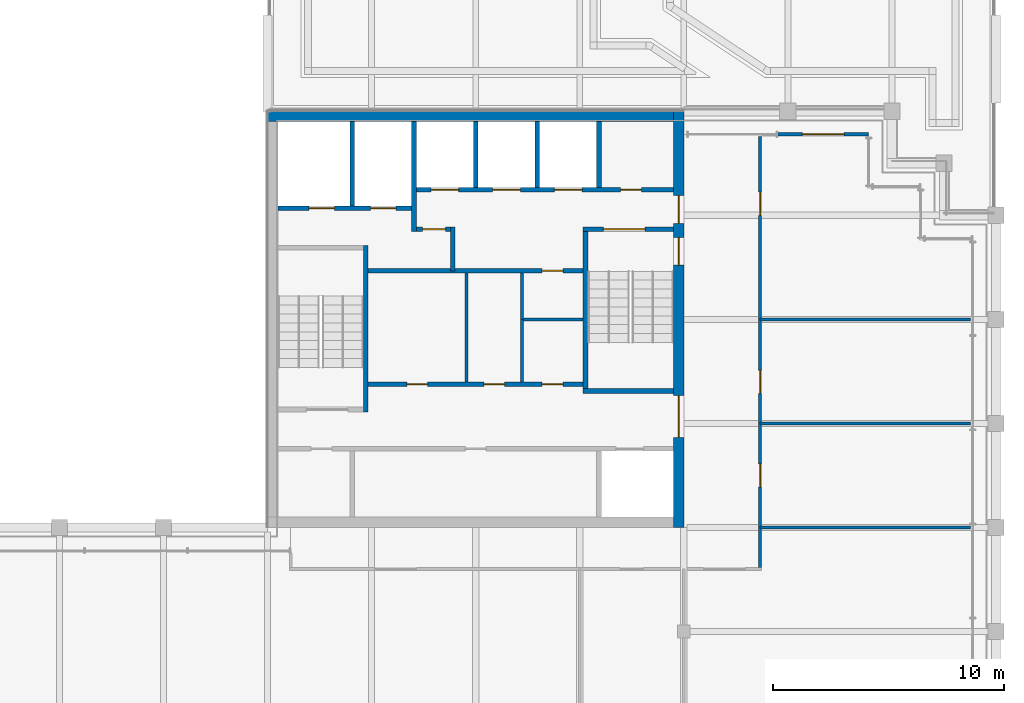
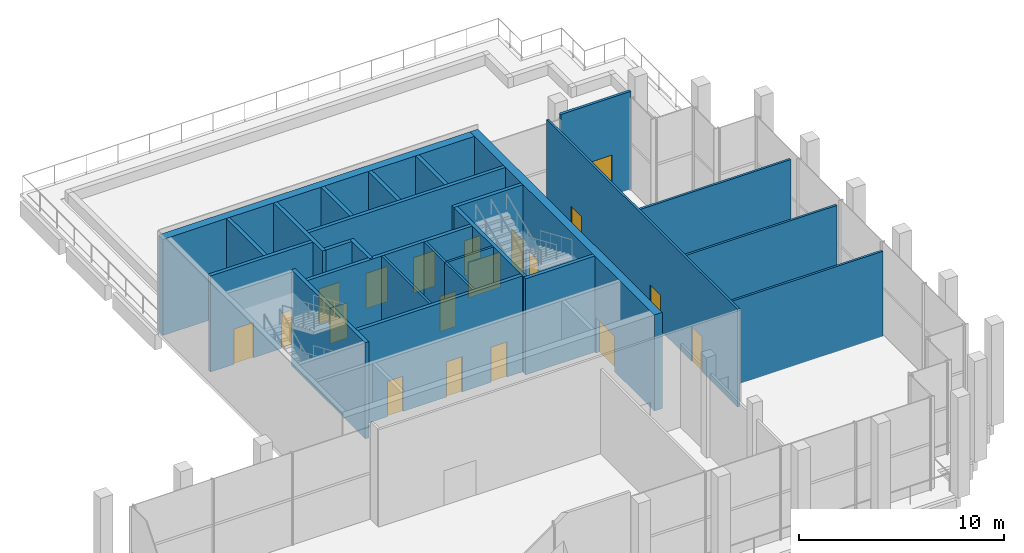
# One storey, part 12 of 15: 26 walls, 19 doors, 19 openings.
"""IFC4 building model written with IfcOpenShell, lengths in metres."""

from ifc_helpers import new_model, si_unit, direction, frame, frame_2d, origin, place, context, subcontext, project, spatial, rectangle, extrude, material, layer, layer_set, type_object, element, fill, save


model = new_model("IFC4")

# Units and contexts
model_context = context("Model", 3, precision=1e-05, world=origin(), true_north=direction((0.0, 1.0)))
body_context = subcontext(model_context, "Body", "Model", "MODEL_VIEW")
ifc_project = project(units=[si_unit("LENGTHUNIT", "METRE"), si_unit("AREAUNIT", "SQUARE_METRE"), si_unit("VOLUMEUNIT", "CUBIC_METRE"), si_unit("PLANEANGLEUNIT", "RADIAN"), si_unit("MASSUNIT", "GRAM", prefix="KILO")], contexts=[model_context])

# Site, building, storey
site_placement = place(None, origin())
site = spatial("IfcSite", under=ifc_project, at=site_placement, CompositionType="ELEMENT")
building_placement = place(site_placement, origin())
building = spatial("IfcBuilding", under=site, at=building_placement, Name="Altepetl Exchange Towers", CompositionType="ELEMENT")
storey_placement = place(building_placement, frame((0.0, 0.0, 263.60009765625)))
storey = spatial("IfcBuildingStorey", under=building, at=storey_placement, Name="L67 Observation deck", CompositionType="ELEMENT", Elevation=263.60009765625)

# Wall, openings, doors
ifc_material_1 = material(Name="Concrete C70/85", Category="concrete")
ifc_layer_1 = layer(ifc_material_1, 0.449951171875)
ifc_layer_set_1 = layer_set([ifc_layer_1], Name="Concrete C70/85")
wall_type_1 = type_object("IfcWallType", Name="Core wall 450 reinforced concrete", PredefinedType="SHEAR", material=ifc_layer_set_1)
wall_1_placement = place(storey_placement, frame((58.27490234375, 40.5, 0.0), z_axis=(0.0, 0.0, 1.0), x_axis=(0.0, 1.0, 0.0)))
wall_1 = element("IfcWall", 1, at=wall_1_placement, inside=storey, type_object=wall_type_1, Name="wall:A:L67:K-coreE", PredefinedType="SHEAR", context=body_context, shape_type="SweptSolid", body=[
    extrude(rectangle(XDim=18.0, YDim=0.449951171875, at=frame_2d((9.0, 0.0))), origin(), (0.0, 0.0, 1.0), 5.724853515625),
])
opening_1_placement = place(wall_1_placement, frame((13.14990234375, 0.0, 0.0)))
opening_1 = element("IfcOpeningElement", 2, at=opening_1_placement, cuts=wall_1, Name="Opening L67.A60", PredefinedType="OPENING", context=body_context, shape_type="SweptSolid", body=[
    extrude(rectangle(XDim=1.199951171875, YDim=2.10009765625, at=frame_2d((0.60009765625, 1.050048828125))), frame((0.0, 0.23486328125, 0.0), z_axis=(0.0, -1.0, 0.0), x_axis=(1.0, 0.0, 0.0)), (0.0, 0.0, 1.0), 0.469970703125),
])
opening_2_placement = place(wall_1_placement, frame((3.89990234375, 0.0, 0.0)))
opening_2 = element("IfcOpeningElement", 3, at=opening_2_placement, cuts=wall_1, Name="Opening L67.A61", PredefinedType="OPENING", context=body_context, shape_type="SweptSolid", body=[
    extrude(rectangle(XDim=1.800048828125, YDim=2.10009765625, at=frame_2d((0.89990234375, 1.050048828125))), frame((0.0, 0.23486328125, 0.0), z_axis=(0.0, -1.0, 0.0), x_axis=(1.0, 0.0, 0.0)), (0.0, 0.0, 1.0), 0.469970703125),
])
opening_3_placement = place(wall_1_placement, frame((11.340087890625, 0.0, 0.0)))
opening_3 = element("IfcOpeningElement", 4, at=opening_3_placement, cuts=wall_1, Name="Opening L67.A64", PredefinedType="OPENING", context=body_context, shape_type="SweptSolid", body=[
    extrude(rectangle(XDim=1.199951171875, YDim=2.10009765625, at=frame_2d((0.60009765625, 1.050048828125))), frame((0.0, 0.23486328125, 0.0), z_axis=(0.0, -1.0, 0.0), x_axis=(1.0, 0.0, 0.0)), (0.0, 0.0, 1.0), 0.469970703125),
])
ifc_material_2 = material(Name="Steel and timber fire door", Category="steel")
door_type_1 = type_object("IfcDoorType", Name="Fire door 1200 x 2100 lobby entry", OperationType="SINGLE_SWING_LEFT", PredefinedType="DOOR", material=ifc_material_2)
door_1_placement = place(opening_1_placement, origin())
door_1 = element("IfcDoor", 5, at=door_1_placement, inside=storey, type_object=door_type_1, Name="door:A:L67:K-dLNE", OperationType="SINGLE_SWING_RIGHT", OverallHeight=2.10009765625, OverallWidth=1.199951171875, PredefinedType="DOOR", context=body_context, shape_type="SweptSolid", body=[
    extrude(rectangle(XDim=1.199951171875, YDim=2.10009765625, at=frame_2d((0.60009765625, 1.050048828125))), frame((0.0, 0.02490234375, 0.0), z_axis=(0.0, -1.0, 0.0), x_axis=(1.0, 0.0, 0.0)), (0.0, 0.0, 1.0), 0.050048828125),
])
fill(opening_1, door_1)
door_type_2 = type_object("IfcDoorType", Name="Fire door 1200 x 2100 stair exit", OperationType="SINGLE_SWING_LEFT", PredefinedType="DOOR", material=ifc_material_2)
door_2_placement = place(opening_3_placement, origin())
door_2 = element("IfcDoor", 6, at=door_2_placement, inside=storey, type_object=door_type_2, Name="door:A:L67:K-dS2x", OperationType="SINGLE_SWING_RIGHT", OverallHeight=2.10009765625, OverallWidth=1.199951171875, PredefinedType="DOOR", context=body_context, shape_type="SweptSolid", body=[
    extrude(rectangle(XDim=1.199951171875, YDim=2.10009765625, at=frame_2d((0.60009765625, 1.050048828125))), frame((0.0, 0.02490234375, 0.0), z_axis=(0.0, -1.0, 0.0), x_axis=(1.0, 0.0, 0.0)), (0.0, 0.0, 1.0), 0.050048828125),
])
fill(opening_3, door_2)
door_type_3 = type_object("IfcDoorType", Name="Fire door 1800 x 2100 lobby entry", OperationType="DOUBLE_DOOR_SINGLE_SWING", PredefinedType="DOOR", material=ifc_material_2)
door_3_placement = place(opening_2_placement, origin())
door_3 = element("IfcDoor", 7, at=door_3_placement, inside=storey, type_object=door_type_3, Name="door:A:L67:K-dLSE", OperationType="DOUBLE_DOOR_SINGLE_SWING", OverallHeight=2.10009765625, OverallWidth=1.800048828125, PredefinedType="DOOR", context=body_context, shape_type="SweptSolid", body=[
    extrude(rectangle(XDim=1.800048828125, YDim=2.10009765625, at=frame_2d((0.89990234375, 1.050048828125))), frame((0.0, 0.02490234375, 0.0), z_axis=(0.0, -1.0, 0.0), x_axis=(1.0, 0.0, 0.0)), (0.0, 0.0, 1.0), 0.050048828125),
])
fill(opening_2, door_3)

# Wall
ifc_layer_2 = layer(ifc_material_1, 0.449951171875)
ifc_layer_set_2 = layer_set([ifc_layer_2], Name="Concrete C70/85")
wall_type_2 = type_object("IfcWallType", Name="Core wall 450 reinforced concrete external", PredefinedType="SHEAR", material=ifc_layer_set_2)
wall_2_placement = place(storey_placement, frame((40.5, 58.27490234375, 0.0)))
element("IfcWall", 8, at=wall_2_placement, inside=storey, type_object=wall_type_2, Name="wall:A:L67:K-coreN", PredefinedType="SHEAR", context=body_context, shape_type="SweptSolid", body=[
    extrude(rectangle(XDim=17.550048828125, YDim=0.449951171875, at=frame_2d((8.77490234375, 0.0))), origin(), (0.0, 0.0, 1.0), 5.724853515625),
])

# Wall, opening, door
ifc_material_3 = material(Name="Aluminium composite cladding", Category="aluminium")
ifc_layer_3 = layer(ifc_material_3, 0.14990234375)
ifc_layer_set_3 = layer_set([ifc_layer_3], Name="Aluminium composite cladding")
wall_type_3 = type_object("IfcWallType", Name="Infill wall 150 aluminium panel", PredefinedType="SOLIDWALL", material=ifc_layer_set_3)
wall_3_placement = place(storey_placement, frame((66.5, 57.5, 0.0), z_axis=(0.0, 0.0, 1.0), x_axis=(-1.0, 0.0, 0.0)))
wall_3 = element("IfcWall", 9, at=wall_3_placement, inside=storey, type_object=wall_type_3, Name="Terrace door bay wall", PredefinedType="SOLIDWALL", context=body_context, shape_type="SweptSolid", body=[
    extrude(rectangle(XDim=3.9375, YDim=0.14990234375, at=frame_2d((1.96875, 0.0))), origin(), (0.0, 0.0, 1.0), 5.824951171875),
])
opening_4_placement = place(wall_3_placement, frame((1.06884765625, 0.0, 0.0)))
opening_4 = element("IfcOpeningElement", 10, at=opening_4_placement, cuts=wall_3, Name="Opening L67.A92", PredefinedType="OPENING", context=body_context, shape_type="SweptSolid", body=[
    extrude(rectangle(XDim=1.800048828125, YDim=2.39990234375, at=frame_2d((0.89990234375, 1.199951171875))), frame((0.0, 0.0849609375, 0.0), z_axis=(0.0, -1.0, 0.0), x_axis=(1.0, 0.0, 0.0)), (0.0, 0.0, 1.0), 0.169921875),
])
ifc_material_4 = material(Name="Aluminium 6063-T6 and glass", Category="aluminium")
door_type_4 = type_object("IfcDoorType", Name="Glazed door pair 1800x2400", OperationType="DOUBLE_DOOR_DOUBLE_SWING", PredefinedType="NOTDEFINED", material=ifc_material_4)
door_4_placement = place(opening_4_placement, frame((1.800048828125, 0.0, 0.0), x_axis=(-1.0, 0.0, 0.0)))
door_4 = element("IfcDoor", 11, at=door_4_placement, inside=storey, type_object=door_type_4, Name="Terrace door", OperationType="DOUBLE_DOOR_DOUBLE_SWING", OverallHeight=2.39990234375, OverallWidth=1.800048828125, PredefinedType="NOTDEFINED", context=body_context, shape_type="SweptSolid", body=[
    extrude(rectangle(XDim=1.800048828125, YDim=2.39990234375, at=frame_2d((0.89990234375, 1.199951171875))), frame((0.0, 0.02490234375, 0.0), z_axis=(0.0, -1.0, 0.0), x_axis=(1.0, 0.0, 0.0)), (0.0, 0.0, 1.0), 0.050048828125),
])
fill(opening_4, door_4)

# Wall
ifc_material_5 = material(Name="Concrete blockwork", Category="masonry")
ifc_layer_4 = layer(ifc_material_5, 0.199951171875)
ifc_layer_set_4 = layer_set([ifc_layer_4], Name="Concrete blockwork")
wall_type_4 = type_object("IfcWallType", Name="Lobby wall 200 blockwork", PredefinedType="PARTITIONING", material=ifc_layer_set_4)
wall_4_placement = place(storey_placement, frame((48.5, 51.60009765625, 0.0), z_axis=(0.0, 0.0, 1.0), x_axis=(0.0, 1.0, 0.0)))
element("IfcWall", 12, at=wall_4_placement, inside=storey, type_object=wall_type_4, Name="wall:A:L67:K-ffE", PredefinedType="PARTITIONING", context=body_context, shape_type="SweptSolid", body=[
    extrude(rectangle(XDim=1.89990234375, YDim=0.199951171875, at=frame_2d((0.949951171875, 0.0))), origin(), (0.0, 0.0, 1.0), 5.724853515625),
])

# Wall, opening, door
wall_5_placement = place(storey_placement, frame((46.933349609375, 53.39990234375, 0.0)))
wall_5 = element("IfcWall", 13, at=wall_5_placement, inside=storey, type_object=wall_type_4, Name="wall:A:L67:K-ffN", PredefinedType="PARTITIONING", context=body_context, shape_type="SweptSolid", body=[
    extrude(rectangle(XDim=1.466552734375, YDim=0.199951171875, at=frame_2d((0.7333984375, 0.0))), origin(), (0.0, 0.0, 1.0), 5.724853515625),
])
opening_5_placement = place(wall_5_placement, frame((0.2666015625, 0.0, 0.0)))
opening_5 = element("IfcOpeningElement", 14, at=opening_5_placement, cuts=wall_5, Name="Opening L67.A65", PredefinedType="OPENING", context=body_context, shape_type="SweptSolid", body=[
    extrude(rectangle(XDim=1.0, YDim=2.10009765625, at=frame_2d((0.5, 1.050048828125))), frame((0.0, 0.10986328125, 0.0), z_axis=(0.0, -1.0, 0.0), x_axis=(1.0, 0.0, 0.0)), (0.0, 0.0, 1.0), 0.219970703125),
])
door_type_5 = type_object("IfcDoorType", Name="Fire door 1000 x 2100 stair and lobby", OperationType="SINGLE_SWING_LEFT", PredefinedType="DOOR", material=ifc_material_2)
door_5_placement = place(opening_5_placement, frame((1.0, 0.0, 0.0), x_axis=(-1.0, 0.0, 0.0)))
door_5 = element("IfcDoor", 15, at=door_5_placement, inside=storey, type_object=door_type_5, Name="door:A:L67:K-dffN", OperationType="SINGLE_SWING_RIGHT", OverallHeight=2.10009765625, OverallWidth=1.0, PredefinedType="DOOR", context=body_context, shape_type="SweptSolid", body=[
    extrude(rectangle(XDim=1.0, YDim=2.10009765625, at=frame_2d((0.5, 1.050048828125))), frame((0.0, 0.02490234375, 0.0), z_axis=(0.0, -1.0, 0.0), x_axis=(1.0, 0.0, 0.0)), (0.0, 0.0, 1.0), 0.050048828125),
])
fill(opening_5, door_5)

wall_6_placement = place(storey_placement, frame((44.85009765625, 51.60009765625, 0.0)))
wall_6 = element("IfcWall", 16, at=wall_6_placement, inside=storey, type_object=wall_type_4, Name="wall:A:L67:K-zoneN", PredefinedType="PARTITIONING", context=body_context, shape_type="SweptSolid", body=[
    extrude(rectangle(XDim=9.2998046875, YDim=0.199951171875, at=frame_2d((4.64990234375, 0.0))), origin(), (0.0, 0.0, 1.0), 5.724853515625),
])
opening_6_placement = place(wall_6_placement, frame((7.52490234375, 0.0, 0.0)))
opening_6 = element("IfcOpeningElement", 17, at=opening_6_placement, cuts=wall_6, Name="Opening L67.A71", PredefinedType="OPENING", context=body_context, shape_type="SweptSolid", body=[
    extrude(rectangle(XDim=0.89990234375, YDim=2.10009765625, at=frame_2d((0.449951171875, 1.050048828125))), frame((0.0, 0.10986328125, 0.0), z_axis=(0.0, -1.0, 0.0), x_axis=(1.0, 0.0, 0.0)), (0.0, 0.0, 1.0), 0.219970703125),
])
door_type_6 = type_object("IfcDoorType", Name="Fire door 900 x 2100 service room", OperationType="SINGLE_SWING_LEFT", PredefinedType="DOOR", material=ifc_material_2)
door_6_placement = place(opening_6_placement, frame((0.89990234375, 0.0, 0.0), x_axis=(-1.0, 0.0, 0.0)))
door_6 = element("IfcDoor", 18, at=door_6_placement, inside=storey, type_object=door_type_6, Name="door:A:L67:K-dz3", OperationType="SINGLE_SWING_LEFT", OverallHeight=2.10009765625, OverallWidth=0.89990234375, PredefinedType="DOOR", context=body_context, shape_type="SweptSolid", body=[
    extrude(rectangle(XDim=0.89990234375, YDim=2.10009765625, at=frame_2d((0.449951171875, 1.050048828125))), frame((0.0, 0.02490234375, 0.0), z_axis=(0.0, -1.0, 0.0), x_axis=(1.0, 0.0, 0.0)), (0.0, 0.0, 1.0), 0.050048828125),
])
fill(opening_6, door_6)

# Wall, openings, doors
wall_7_placement = place(storey_placement, frame((44.85009765625, 46.699951171875, 0.0)))
wall_7 = element("IfcWall", 19, at=wall_7_placement, inside=storey, type_object=wall_type_4, Name="wall:A:L67:K-zoneS", PredefinedType="PARTITIONING", context=body_context, shape_type="SweptSolid", body=[
    extrude(rectangle(XDim=9.2998046875, YDim=0.199951171875, at=frame_2d((4.64990234375, 0.0))), origin(), (0.0, 0.0, 1.0), 5.724853515625),
])
opening_7_placement = place(wall_7_placement, frame((1.675048828125, 0.0, 0.0)))
opening_7 = element("IfcOpeningElement", 20, at=opening_7_placement, cuts=wall_7, Name="Opening L67.A69", PredefinedType="OPENING", context=body_context, shape_type="SweptSolid", body=[
    extrude(rectangle(XDim=0.89990234375, YDim=2.10009765625, at=frame_2d((0.449951171875, 1.050048828125))), frame((0.0, 0.10986328125, 0.0), z_axis=(0.0, -1.0, 0.0), x_axis=(1.0, 0.0, 0.0)), (0.0, 0.0, 1.0), 0.219970703125),
])
opening_8_placement = place(wall_7_placement, frame((5.0, 0.0, 0.0)))
opening_8 = element("IfcOpeningElement", 21, at=opening_8_placement, cuts=wall_7, Name="Opening L67.A70", PredefinedType="OPENING", context=body_context, shape_type="SweptSolid", body=[
    extrude(rectangle(XDim=0.89990234375, YDim=2.10009765625, at=frame_2d((0.449951171875, 1.050048828125))), frame((0.0, 0.10986328125, 0.0), z_axis=(0.0, -1.0, 0.0), x_axis=(1.0, 0.0, 0.0)), (0.0, 0.0, 1.0), 0.219970703125),
])
opening_9_placement = place(wall_7_placement, frame((7.52490234375, 0.0, 0.0)))
opening_9 = element("IfcOpeningElement", 22, at=opening_9_placement, cuts=wall_7, Name="Opening L67.A72", PredefinedType="OPENING", context=body_context, shape_type="SweptSolid", body=[
    extrude(rectangle(XDim=0.89990234375, YDim=2.10009765625, at=frame_2d((0.449951171875, 1.050048828125))), frame((0.0, 0.10986328125, 0.0), z_axis=(0.0, -1.0, 0.0), x_axis=(1.0, 0.0, 0.0)), (0.0, 0.0, 1.0), 0.219970703125),
])
door_7_placement = place(opening_7_placement, origin())
door_7 = element("IfcDoor", 23, at=door_7_placement, inside=storey, type_object=door_type_6, Name="door:A:L67:K-dz1", OperationType="SINGLE_SWING_RIGHT", OverallHeight=2.10009765625, OverallWidth=0.89990234375, PredefinedType="DOOR", context=body_context, shape_type="SweptSolid", body=[
    extrude(rectangle(XDim=0.89990234375, YDim=2.10009765625, at=frame_2d((0.449951171875, 1.050048828125))), frame((0.0, 0.02490234375, 0.0), z_axis=(0.0, -1.0, 0.0), x_axis=(1.0, 0.0, 0.0)), (0.0, 0.0, 1.0), 0.050048828125),
])
fill(opening_7, door_7)
door_8_placement = place(opening_8_placement, origin())
door_8 = element("IfcDoor", 24, at=door_8_placement, inside=storey, type_object=door_type_6, Name="door:A:L67:K-dz2", OperationType="SINGLE_SWING_RIGHT", OverallHeight=2.10009765625, OverallWidth=0.89990234375, PredefinedType="DOOR", context=body_context, shape_type="SweptSolid", body=[
    extrude(rectangle(XDim=0.89990234375, YDim=2.10009765625, at=frame_2d((0.449951171875, 1.050048828125))), frame((0.0, 0.02490234375, 0.0), z_axis=(0.0, -1.0, 0.0), x_axis=(1.0, 0.0, 0.0)), (0.0, 0.0, 1.0), 0.050048828125),
])
fill(opening_8, door_8)
door_9_placement = place(opening_9_placement, origin())
door_9 = element("IfcDoor", 25, at=door_9_placement, inside=storey, type_object=door_type_6, Name="door:A:L67:K-dz4", OperationType="SINGLE_SWING_RIGHT", OverallHeight=2.10009765625, OverallWidth=0.89990234375, PredefinedType="DOOR", context=body_context, shape_type="SweptSolid", body=[
    extrude(rectangle(XDim=0.89990234375, YDim=2.10009765625, at=frame_2d((0.449951171875, 1.050048828125))), frame((0.0, 0.02490234375, 0.0), z_axis=(0.0, -1.0, 0.0), x_axis=(1.0, 0.0, 0.0)), (0.0, 0.0, 1.0), 0.050048828125),
])
fill(opening_9, door_9)

# Walls
ifc_material_6 = material(Name="Gypsum board on steel studs", Category="steel")
ifc_layer_5 = layer(ifc_material_6, 0.125)
ifc_layer_set_5 = layer_set([ifc_layer_5], Name="Gypsum board on steel studs")
wall_type_5 = type_object("IfcWallType", Name="Partition 125 gypsum board on steel studs", PredefinedType="PARTITIONING", material=ifc_layer_set_5)
wall_8_placement = place(storey_placement, frame((49.10009765625, 46.800048828125, 0.0), z_axis=(0.0, 0.0, 1.0), x_axis=(0.0, 1.0, 0.0)))
element("IfcWall", 26, at=wall_8_placement, inside=storey, type_object=wall_type_5, Name="wall:A:L67:K-zp1", PredefinedType="PARTITIONING", context=body_context, shape_type="SweptSolid", body=[
    extrude(rectangle(XDim=4.699951171875, YDim=0.125, at=frame_2d((2.35009765625, 0.0))), origin(), (0.0, 0.0, 1.0), 5.724853515625),
])
wall_9_placement = place(storey_placement, frame((51.5, 46.800048828125, 0.0), z_axis=(0.0, 0.0, 1.0), x_axis=(0.0, 1.0, 0.0)))
element("IfcWall", 27, at=wall_9_placement, inside=storey, type_object=wall_type_5, Name="wall:A:L67:K-zp2", PredefinedType="PARTITIONING", context=body_context, shape_type="SweptSolid", body=[
    extrude(rectangle(XDim=2.762451171875, YDim=0.125, at=frame_2d((1.38134765625, 0.0))), origin(), (0.0, 0.0, 1.0), 5.724853515625),
])
wall_10_placement = place(storey_placement, frame((51.5625, 49.5, 0.0)))
element("IfcWall", 28, at=wall_10_placement, inside=storey, type_object=wall_type_5, Name="wall:A:L67:K-zp3", PredefinedType="PARTITIONING", context=body_context, shape_type="SweptSolid", body=[
    extrude(rectangle(XDim=2.58740234375, YDim=0.125, at=frame_2d((1.293701171875, 0.0))), origin(), (0.0, 0.0, 1.0), 5.724853515625),
])
wall_11_placement = place(storey_placement, frame((51.5, 49.5, 0.0), z_axis=(0.0, 0.0, 1.0), x_axis=(0.0, 1.0, 0.0)))
element("IfcWall", 29, at=wall_11_placement, inside=storey, type_object=wall_type_5, Name="wall:A:L67:K-zp4", PredefinedType="PARTITIONING", context=body_context, shape_type="SweptSolid", body=[
    extrude(rectangle(XDim=2.0, YDim=0.125, at=frame_2d((1.0, 0.0))), origin(), (0.0, 0.0, 1.0), 5.724853515625),
])
for number, where, name in (
    (30, (61.800048828125, 40.5, 0.0), "wall:A:L67:P02"),
    (31, (61.800048828125, 45.0, 0.0), "wall:A:L67:P03"),
    (32, (61.800048828125, 49.5, 0.0), "wall:A:L67:P04"),
):
    element("IfcWall", number, at=place(storey_placement, frame(where)), inside=storey, type_object=wall_type_5, Name=name, PredefinedType="PARTITIONING", context=body_context, shape_type="SweptSolid", body=[
        extrude(rectangle(XDim=9.099853515625, YDim=0.125, at=frame_2d((4.5498046875, 0.0))), origin(), (0.0, 0.0, 1.0), 5.06689453125),
    ])

# Wall, openings, doors
wall_12_placement = place(storey_placement, frame((61.800048828125, 38.762451171875, 0.0), z_axis=(0.0, 0.0, 1.0), x_axis=(0.0, 1.0, 0.0)))
wall_12 = element("IfcWall", 33, at=wall_12_placement, inside=storey, type_object=wall_type_5, Name="wall:A:L67:P10", PredefinedType="PARTITIONING", context=body_context, shape_type="SweptSolid", body=[
    extrude(rectangle(XDim=18.637451171875, YDim=0.125, at=frame_2d((9.31884765625, 0.0))), origin(), (0.0, 0.0, 1.0), 5.824951171875),
])
opening_10_placement = place(wall_12_placement, frame((3.487548828125, 0.0, 0.0)))
opening_10 = element("IfcOpeningElement", 34, at=opening_10_placement, cuts=wall_12, Name="Opening L67.A04", PredefinedType="OPENING", context=body_context, shape_type="SweptSolid", body=[
    extrude(rectangle(XDim=1.0, YDim=2.10009765625, at=frame_2d((0.5, 1.050048828125))), frame((0.0, 0.072509765625, 0.0), z_axis=(0.0, -1.0, 0.0), x_axis=(1.0, 0.0, 0.0)), (0.0, 0.0, 1.0), 0.14501953125),
])
opening_11_placement = place(wall_12_placement, frame((7.532470703125, 0.0, 0.0)))
opening_11 = element("IfcOpeningElement", 35, at=opening_11_placement, cuts=wall_12, Name="Opening L67.A05", PredefinedType="OPENING", context=body_context, shape_type="SweptSolid", body=[
    extrude(rectangle(XDim=1.0, YDim=2.10009765625, at=frame_2d((0.5, 1.050048828125))), frame((0.0, 0.072509765625, 0.0), z_axis=(0.0, -1.0, 0.0), x_axis=(1.0, 0.0, 0.0)), (0.0, 0.0, 1.0), 0.14501953125),
])
opening_12_placement = place(wall_12_placement, frame((15.237548828125, 0.0, 0.0)))
opening_12 = element("IfcOpeningElement", 36, at=opening_12_placement, cuts=wall_12, Name="Opening L67.A06", PredefinedType="OPENING", context=body_context, shape_type="SweptSolid", body=[
    extrude(rectangle(XDim=1.0, YDim=2.10009765625, at=frame_2d((0.5, 1.050048828125))), frame((0.0, 0.072509765625, 0.0), z_axis=(0.0, -1.0, 0.0), x_axis=(1.0, 0.0, 0.0)), (0.0, 0.0, 1.0), 0.14501953125),
])
door_type_7 = type_object("IfcDoorType", Name="Fire door 1000 x 2100 single leaf", OperationType="SINGLE_SWING_LEFT", PredefinedType="DOOR", material=ifc_material_2)
door_10_placement = place(opening_10_placement, frame((1.0, 0.0, 0.0), x_axis=(-1.0, 0.0, 0.0)))
door_10 = element("IfcDoor", 37, at=door_10_placement, inside=storey, type_object=door_type_7, Name="door:A:L67:04", OperationType="SINGLE_SWING_RIGHT", OverallHeight=2.10009765625, OverallWidth=1.0, PredefinedType="DOOR", context=body_context, shape_type="SweptSolid", body=[
    extrude(rectangle(XDim=1.0, YDim=2.10009765625, at=frame_2d((0.5, 1.050048828125))), frame((0.0, 0.02490234375, 0.0), z_axis=(0.0, -1.0, 0.0), x_axis=(1.0, 0.0, 0.0)), (0.0, 0.0, 1.0), 0.050048828125),
])
fill(opening_10, door_10)
door_11_placement = place(opening_11_placement, frame((1.0, 0.0, 0.0), x_axis=(-1.0, 0.0, 0.0)))
door_11 = element("IfcDoor", 38, at=door_11_placement, inside=storey, type_object=door_type_7, Name="door:A:L67:05", OperationType="SINGLE_SWING_LEFT", OverallHeight=2.10009765625, OverallWidth=1.0, PredefinedType="DOOR", context=body_context, shape_type="SweptSolid", body=[
    extrude(rectangle(XDim=1.0, YDim=2.10009765625, at=frame_2d((0.5, 1.050048828125))), frame((0.0, 0.02490234375, 0.0), z_axis=(0.0, -1.0, 0.0), x_axis=(1.0, 0.0, 0.0)), (0.0, 0.0, 1.0), 0.050048828125),
])
fill(opening_11, door_11)
door_12_placement = place(opening_12_placement, frame((1.0, 0.0, 0.0), x_axis=(-1.0, 0.0, 0.0)))
door_12 = element("IfcDoor", 39, at=door_12_placement, inside=storey, type_object=door_type_7, Name="door:A:L67:06", OperationType="SINGLE_SWING_LEFT", OverallHeight=2.10009765625, OverallWidth=1.0, PredefinedType="DOOR", context=body_context, shape_type="SweptSolid", body=[
    extrude(rectangle(XDim=1.0, YDim=2.10009765625, at=frame_2d((0.5, 1.050048828125))), frame((0.0, 0.02490234375, 0.0), z_axis=(0.0, -1.0, 0.0), x_axis=(1.0, 0.0, 0.0)), (0.0, 0.0, 1.0), 0.050048828125),
])
fill(opening_12, door_12)

# Walls
ifc_material_7 = material(Name="Concrete C40/50", Category="concrete")
ifc_layer_6 = layer(ifc_material_7, 0.199951171875)
ifc_layer_set_6 = layer_set([ifc_layer_6], Name="Concrete C40/50")
wall_type_6 = type_object("IfcWallType", Name="Shaft wall 200 reinforced concrete", PredefinedType="SHEAR", material=ifc_layer_set_6)
wall_13_placement = place(storey_placement, frame((44.166748046875, 58.050048828125, 0.0), z_axis=(0.0, 0.0, 1.0), x_axis=(0.0, -1.0, 0.0)))
element("IfcWall", 40, at=wall_13_placement, inside=storey, type_object=wall_type_6, Name="wall:A:L67:K-divN1", PredefinedType="SHEAR", context=body_context, shape_type="SweptSolid", body=[
    extrude(rectangle(XDim=3.650146484375, YDim=0.199951171875, at=frame_2d((1.8251953125, 0.0))), origin(), (0.0, 0.0, 1.0), 5.724853515625),
])
wall_14_placement = place(storey_placement, frame((46.833251953125, 58.050048828125, 0.0), z_axis=(0.0, 0.0, 1.0), x_axis=(0.0, -1.0, 0.0)))
element("IfcWall", 41, at=wall_14_placement, inside=storey, type_object=wall_type_6, Name="wall:A:L67:K-divN2", PredefinedType="SHEAR", context=body_context, shape_type="SweptSolid", body=[
    extrude(rectangle(XDim=4.75, YDim=0.199951171875, at=frame_2d((2.375, 0.0))), origin(), (0.0, 0.0, 1.0), 5.724853515625),
])
for number, where, z_axis, x_axis, name in (
    (42, (49.5, 58.050048828125, 0.0), (0.0, 0.0, 1.0), (0.0, -1.0, 0.0), "wall:A:L67:K-divN3"),
    (43, (52.166748046875, 58.050048828125, 0.0), (0.0, 0.0, 1.0), (0.0, -1.0, 0.0), "wall:A:L67:K-divN4"),
    (44, (54.833251953125, 58.050048828125, 0.0), (0.0, 0.0, 1.0), (0.0, -1.0, 0.0), "wall:A:L67:K-divN5"),
):
    element("IfcWall", number, at=place(storey_placement, frame(where, z_axis=z_axis, x_axis=x_axis)), inside=storey, type_object=wall_type_6, Name=name, PredefinedType="SHEAR", context=body_context, shape_type="SweptSolid", body=[
        extrude(rectangle(XDim=2.85009765625, YDim=0.199951171875, at=frame_2d((1.425048828125, 0.0))), origin(), (0.0, 0.0, 1.0), 5.724853515625),
    ])

# Wall, openings, doors
wall_15_placement = place(storey_placement, frame((46.933349609375, 55.10009765625, 0.0)))
wall_15 = element("IfcWall", 45, at=wall_15_placement, inside=storey, type_object=wall_type_6, Name="wall:A:L67:K-frontNb", PredefinedType="SHEAR", context=body_context, shape_type="SweptSolid", body=[
    extrude(rectangle(XDim=11.11669921875, YDim=0.199951171875, at=frame_2d((5.558349609375, 0.0))), origin(), (0.0, 0.0, 1.0), 5.724853515625),
])
opening_13_placement = place(wall_15_placement, frame((8.83349609375, 0.0, 0.0)))
opening_13 = element("IfcOpeningElement", 46, at=opening_13_placement, cuts=wall_15, Name="Opening L67.A66", PredefinedType="OPENING", context=body_context, shape_type="SweptSolid", body=[
    extrude(rectangle(XDim=0.89990234375, YDim=2.10009765625, at=frame_2d((0.449951171875, 1.050048828125))), frame((0.0, 0.10986328125, 0.0), z_axis=(0.0, -1.0, 0.0), x_axis=(1.0, 0.0, 0.0)), (0.0, 0.0, 1.0), 0.219970703125),
])
opening_14_placement = place(wall_15_placement, frame((0.63330078125, 0.0, 0.0)))
opening_14 = element("IfcOpeningElement", 47, at=opening_14_placement, cuts=wall_15, Name="Opening L67.A76", PredefinedType="OPENING", context=body_context, shape_type="SweptSolid", body=[
    extrude(rectangle(XDim=1.199951171875, YDim=2.10009765625, at=frame_2d((0.60009765625, 1.050048828125))), frame((0.0, 0.10986328125, 0.0), z_axis=(0.0, -1.0, 0.0), x_axis=(1.0, 0.0, 0.0)), (0.0, 0.0, 1.0), 0.219970703125),
])
opening_15_placement = place(wall_15_placement, frame((3.300048828125, 0.0, 0.0)))
opening_15 = element("IfcOpeningElement", 48, at=opening_15_placement, cuts=wall_15, Name="Opening L67.A77", PredefinedType="OPENING", context=body_context, shape_type="SweptSolid", body=[
    extrude(rectangle(XDim=1.199951171875, YDim=2.10009765625, at=frame_2d((0.60009765625, 1.050048828125))), frame((0.0, 0.10986328125, 0.0), z_axis=(0.0, -1.0, 0.0), x_axis=(1.0, 0.0, 0.0)), (0.0, 0.0, 1.0), 0.219970703125),
])
opening_16_placement = place(wall_15_placement, frame((5.966796875, 0.0, 0.0)))
opening_16 = element("IfcOpeningElement", 49, at=opening_16_placement, cuts=wall_15, Name="Opening L67.A78", PredefinedType="OPENING", context=body_context, shape_type="SweptSolid", body=[
    extrude(rectangle(XDim=1.199951171875, YDim=2.10009765625, at=frame_2d((0.60009765625, 1.050048828125))), frame((0.0, 0.10986328125, 0.0), z_axis=(0.0, -1.0, 0.0), x_axis=(1.0, 0.0, 0.0)), (0.0, 0.0, 1.0), 0.219970703125),
])
door_13_placement = place(opening_13_placement, origin())
door_13 = element("IfcDoor", 50, at=door_13_placement, inside=storey, type_object=door_type_6, Name="door:A:L67:K-driser", OperationType="SINGLE_SWING_RIGHT", OverallHeight=2.10009765625, OverallWidth=0.89990234375, PredefinedType="DOOR", context=body_context, shape_type="SweptSolid", body=[
    extrude(rectangle(XDim=0.89990234375, YDim=2.10009765625, at=frame_2d((0.449951171875, 1.050048828125))), frame((0.0, 0.02490234375, 0.0), z_axis=(0.0, -1.0, 0.0), x_axis=(1.0, 0.0, 0.0)), (0.0, 0.0, 1.0), 0.050048828125),
])
fill(opening_13, door_13)
ifc_material_8 = material(Name="Stainless steel", Category="steel")
door_type_8 = type_object("IfcDoorType", Name="Lift landing door 1200 x 2100", OperationType="SLIDING_TO_LEFT", PredefinedType="DOOR", material=ifc_material_8)
door_14_placement = place(opening_14_placement, origin())
door_14 = element("IfcDoor", 51, at=door_14_placement, inside=storey, type_object=door_type_8, Name="Landing door P5", OperationType="SLIDING_TO_LEFT", OverallHeight=2.10009765625, OverallWidth=1.199951171875, PredefinedType="DOOR", context=body_context, shape_type="SweptSolid", body=[
    extrude(rectangle(XDim=1.199951171875, YDim=2.10009765625, at=frame_2d((0.60009765625, 1.050048828125))), frame((0.0, 0.02490234375, 0.0), z_axis=(0.0, -1.0, 0.0), x_axis=(1.0, 0.0, 0.0)), (0.0, 0.0, 1.0), 0.050048828125),
])
fill(opening_14, door_14)
door_15_placement = place(opening_15_placement, origin())
door_15 = element("IfcDoor", 52, at=door_15_placement, inside=storey, type_object=door_type_8, Name="Landing door P6", OperationType="SLIDING_TO_LEFT", OverallHeight=2.10009765625, OverallWidth=1.199951171875, PredefinedType="DOOR", context=body_context, shape_type="SweptSolid", body=[
    extrude(rectangle(XDim=1.199951171875, YDim=2.10009765625, at=frame_2d((0.60009765625, 1.050048828125))), frame((0.0, 0.02490234375, 0.0), z_axis=(0.0, -1.0, 0.0), x_axis=(1.0, 0.0, 0.0)), (0.0, 0.0, 1.0), 0.050048828125),
])
fill(opening_15, door_15)
door_16_placement = place(opening_16_placement, origin())
door_16 = element("IfcDoor", 53, at=door_16_placement, inside=storey, type_object=door_type_8, Name="Landing door P7", OperationType="SLIDING_TO_LEFT", OverallHeight=2.10009765625, OverallWidth=1.199951171875, PredefinedType="DOOR", context=body_context, shape_type="SweptSolid", body=[
    extrude(rectangle(XDim=1.199951171875, YDim=2.10009765625, at=frame_2d((0.60009765625, 1.050048828125))), frame((0.0, 0.02490234375, 0.0), z_axis=(0.0, -1.0, 0.0), x_axis=(1.0, 0.0, 0.0)), (0.0, 0.0, 1.0), 0.050048828125),
])
fill(opening_16, door_16)

wall_16_placement = place(storey_placement, frame((40.949951171875, 54.300048828125, 0.0)))
wall_16 = element("IfcWall", 54, at=wall_16_placement, inside=storey, type_object=wall_type_6, Name="wall:A:L67:K-frontNd", PredefinedType="SHEAR", context=body_context, shape_type="SweptSolid", body=[
    extrude(rectangle(XDim=5.783447265625, YDim=0.199951171875, at=frame_2d((2.8916015625, 0.0))), origin(), (0.0, 0.0, 1.0), 5.724853515625),
])
opening_17_placement = place(wall_16_placement, frame((1.333251953125, 0.0, 0.0)))
opening_17 = element("IfcOpeningElement", 55, at=opening_17_placement, cuts=wall_16, Name="Opening L67.A73", PredefinedType="OPENING", context=body_context, shape_type="SweptSolid", body=[
    extrude(rectangle(XDim=1.10009765625, YDim=2.10009765625, at=frame_2d((0.550048828125, 1.050048828125))), frame((0.0, 0.10986328125, 0.0), z_axis=(0.0, -1.0, 0.0), x_axis=(1.0, 0.0, 0.0)), (0.0, 0.0, 1.0), 0.219970703125),
])
opening_18_placement = place(wall_16_placement, frame((4.0, 0.0, 0.0)))
opening_18 = element("IfcOpeningElement", 56, at=opening_18_placement, cuts=wall_16, Name="Opening L67.A74", PredefinedType="OPENING", context=body_context, shape_type="SweptSolid", body=[
    extrude(rectangle(XDim=1.10009765625, YDim=2.10009765625, at=frame_2d((0.550048828125, 1.050048828125))), frame((0.0, 0.10986328125, 0.0), z_axis=(0.0, -1.0, 0.0), x_axis=(1.0, 0.0, 0.0)), (0.0, 0.0, 1.0), 0.219970703125),
])
door_type_9 = type_object("IfcDoorType", Name="Lift landing door 1100 x 2100", OperationType="SLIDING_TO_LEFT", PredefinedType="DOOR", material=ifc_material_8)
door_17_placement = place(opening_17_placement, origin())
door_17 = element("IfcDoor", 57, at=door_17_placement, inside=storey, type_object=door_type_9, Name="Landing door FFL1", OperationType="SLIDING_TO_LEFT", OverallHeight=2.10009765625, OverallWidth=1.10009765625, PredefinedType="DOOR", context=body_context, shape_type="SweptSolid", body=[
    extrude(rectangle(XDim=1.10009765625, YDim=2.10009765625, at=frame_2d((0.550048828125, 1.050048828125))), frame((0.0, 0.02490234375, 0.0), z_axis=(0.0, -1.0, 0.0), x_axis=(1.0, 0.0, 0.0)), (0.0, 0.0, 1.0), 0.050048828125),
])
fill(opening_17, door_17)
door_18_placement = place(opening_18_placement, origin())
door_18 = element("IfcDoor", 58, at=door_18_placement, inside=storey, type_object=door_type_9, Name="Landing door FFL2", OperationType="SLIDING_TO_LEFT", OverallHeight=2.10009765625, OverallWidth=1.10009765625, PredefinedType="DOOR", context=body_context, shape_type="SweptSolid", body=[
    extrude(rectangle(XDim=1.10009765625, YDim=2.10009765625, at=frame_2d((0.550048828125, 1.050048828125))), frame((0.0, 0.02490234375, 0.0), z_axis=(0.0, -1.0, 0.0), x_axis=(1.0, 0.0, 0.0)), (0.0, 0.0, 1.0), 0.050048828125),
])
fill(opening_18, door_18)

# Wall
ifc_layer_7 = layer(ifc_material_7, 0.199951171875)
ifc_layer_set_7 = layer_set([ifc_layer_7], Name="Concrete C40/50")
wall_type_7 = type_object("IfcWallType", Name="Stair wall 200 reinforced concrete", PredefinedType="SHEAR", material=ifc_layer_set_7)
wall_17_placement = place(storey_placement, frame((44.75, 45.5, 0.0), z_axis=(0.0, 0.0, 1.0), x_axis=(0.0, 1.0, 0.0)))
element("IfcWall", 59, at=wall_17_placement, inside=storey, type_object=wall_type_7, Name="wall:A:L67:K-stS1E", PredefinedType="SHEAR", context=body_context, shape_type="SweptSolid", body=[
    extrude(rectangle(XDim=7.199951171875, YDim=0.199951171875, at=frame_2d((3.60009765625, 0.0))), origin(), (0.0, 0.0, 1.0), 5.724853515625),
])

# Wall, opening, door
wall_18_placement = place(storey_placement, frame((54.14990234375, 53.39990234375, 0.0)))
wall_18 = element("IfcWall", 60, at=wall_18_placement, inside=storey, type_object=wall_type_7, Name="wall:A:L67:K-stS2N", PredefinedType="SHEAR", context=body_context, shape_type="SweptSolid", body=[
    extrude(rectangle(XDim=3.900146484375, YDim=0.199951171875, at=frame_2d((1.9501953125, 0.0))), origin(), (0.0, 0.0, 1.0), 5.724853515625),
])
opening_19_placement = place(wall_18_placement, frame((0.875, 0.0, 0.0)))
opening_19 = element("IfcOpeningElement", 61, at=opening_19_placement, cuts=wall_18, Name="Opening L67.A63", PredefinedType="OPENING", context=body_context, shape_type="SweptSolid", body=[
    extrude(rectangle(XDim=1.800048828125, YDim=2.10009765625, at=frame_2d((0.89990234375, 1.050048828125))), frame((0.0, 0.10986328125, 0.0), z_axis=(0.0, -1.0, 0.0), x_axis=(1.0, 0.0, 0.0)), (0.0, 0.0, 1.0), 0.219970703125),
])
door_type_10 = type_object("IfcDoorType", Name="Fire door 1800 x 2100 stair", OperationType="DOUBLE_DOOR_SINGLE_SWING", PredefinedType="DOOR", material=ifc_material_2)
door_19_placement = place(opening_19_placement, frame((1.800048828125, 0.0, 0.0), x_axis=(-1.0, 0.0, 0.0)))
door_19 = element("IfcDoor", 62, at=door_19_placement, inside=storey, type_object=door_type_10, Name="door:A:L67:K-dS2in", OperationType="DOUBLE_DOOR_SINGLE_SWING", OverallHeight=2.10009765625, OverallWidth=1.800048828125, PredefinedType="DOOR", context=body_context, shape_type="SweptSolid", body=[
    extrude(rectangle(XDim=1.800048828125, YDim=2.10009765625, at=frame_2d((0.89990234375, 1.050048828125))), frame((0.0, 0.02490234375, 0.0), z_axis=(0.0, -1.0, 0.0), x_axis=(1.0, 0.0, 0.0)), (0.0, 0.0, 1.0), 0.050048828125),
])
fill(opening_19, door_19)

# Walls
wall_19_placement = place(storey_placement, frame((54.14990234375, 46.39990234375, 0.0)))
element("IfcWall", 63, at=wall_19_placement, inside=storey, type_object=wall_type_7, Name="wall:A:L67:K-stS2S", PredefinedType="SHEAR", context=body_context, shape_type="SweptSolid", body=[
    extrude(rectangle(XDim=3.900146484375, YDim=0.199951171875, at=frame_2d((1.9501953125, 0.0))), origin(), (0.0, 0.0, 1.0), 5.724853515625),
])
wall_20_placement = place(storey_placement, frame((54.25, 46.5, 0.0), z_axis=(0.0, 0.0, 1.0), x_axis=(0.0, 1.0, 0.0)))
element("IfcWall", 64, at=wall_20_placement, inside=storey, type_object=wall_type_7, Name="wall:A:L67:K-stS2W", PredefinedType="SHEAR", context=body_context, shape_type="SweptSolid", body=[
    extrude(rectangle(XDim=6.800048828125, YDim=0.199951171875, at=frame_2d((3.39990234375, 0.0))), origin(), (0.0, 0.0, 1.0), 5.724853515625),
])

save(model, "model.ifc")
